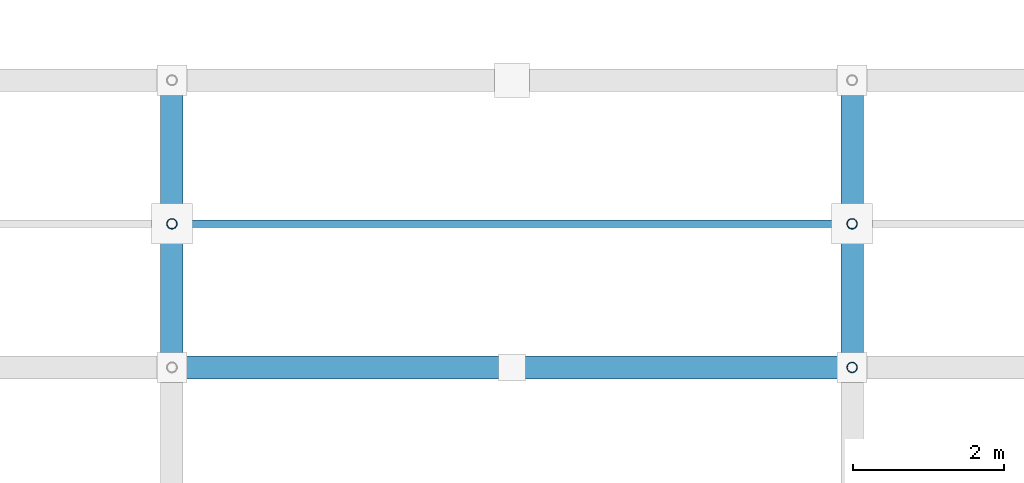
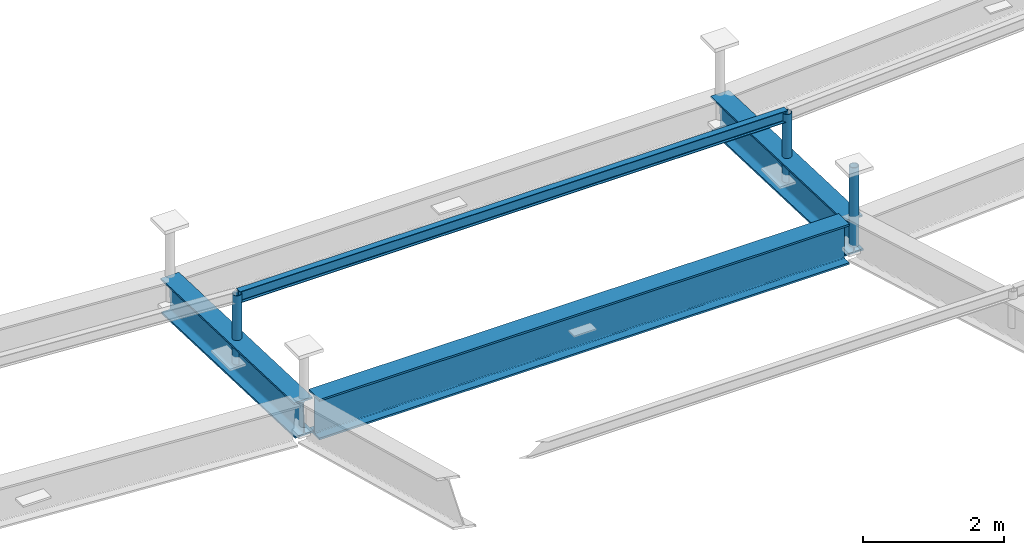
# One storey, part 45 of 80: 4 members, 3 beams.
"""IFC4 building model written with IfcOpenShell, lengths in metres."""

from ifc_helpers import new_model, si_unit, direction, frame, origin, origin_2d, place, context, subcontext, project, spatial, hollow_circle, i_section, extrude, material, material_profile, profile_set, type_object, element, save


model = new_model("IFC4")

# Units and contexts
model_context = context("Model", 3, precision=1e-05, world=origin(), true_north=direction((0.0, 1.0)))
body_context = subcontext(model_context, "Body", "Model", "MODEL_VIEW")
ifc_project = project(units=[si_unit("LENGTHUNIT", "METRE"), si_unit("AREAUNIT", "SQUARE_METRE"), si_unit("VOLUMEUNIT", "CUBIC_METRE"), si_unit("PLANEANGLEUNIT", "RADIAN"), si_unit("MASSUNIT", "GRAM", prefix="KILO")], contexts=[model_context])

# Site, building, storey
site_placement = place(None, origin())
site = spatial("IfcSite", under=ifc_project, at=site_placement, CompositionType="ELEMENT")
building_placement = place(site_placement, origin())
building = spatial("IfcBuilding", under=site, at=building_placement, Name="Barlavento Convention Centre", CompositionType="ELEMENT")
storey_placement = place(building_placement, frame((0.0, 0.0, 29.800048828125)))
storey = spatial("IfcBuildingStorey", under=building, at=storey_placement, Name="RF", CompositionType="ELEMENT", Elevation=29.800048828125)

# Beams
ifc_material_1 = material(Name="Steel S355", Category="steel")
ifc_material_profile_1 = material_profile(ifc_material_1, i_section(OverallWidth=0.300048828125, OverallDepth=0.60009765625, WebThickness=0.015380859375, FlangeThickness=0.030029296875, FilletRadius=0.027099609375, at=origin_2d()), Name="HEB 600")
ifc_profile_set_1 = profile_set([ifc_material_profile_1], Name="Steel S355")
beam_type_1 = type_object("IfcBeamType", Name="STR-BM-CANT-HEB600", PredefinedType="BEAM", material=ifc_profile_set_1)
for number, where, z_axis, x_axis, name in (
    (1, (27.0, 54.0048828125, -6.861083984375), (0.0, 0.999328957614, -0.036628328838), (-1.0, 0.0, 0.0), "Congress roof truss space frame chord"),
    (2, (36.0, 54.0048828125, -6.861083984375), (0.0, 0.999328957614, -0.036628328838), (-1.0, 0.0, 0.0), "Congress roof truss space frame chord"),
):
    element("IfcBeam", number, at=place(storey_placement, frame(where, z_axis=z_axis, x_axis=x_axis)), inside=storey, type_object=beam_type_1, Name=name, PredefinedType="BEAM", context=body_context, shape_type="SweptSolid", body=[
        extrude(i_section(OverallWidth=0.300048828125, OverallDepth=0.60009765625, WebThickness=0.015380859375, FlangeThickness=0.030029296875, FilletRadius=0.027099609375, at=origin_2d()), origin(), (0.0, 0.0, 1.0), 3.79248046875),
    ])
ifc_material_2 = material(Name="Steel S460", Category="steel")
ifc_material_profile_2 = material_profile(ifc_material_2, i_section(OverallWidth=0.300048828125, OverallDepth=0.699951171875, WebThickness=0.01708984375, FlangeThickness=0.031982421875, FilletRadius=0.027099609375, at=origin_2d()), Name="HEB 700")
ifc_profile_set_2 = profile_set([ifc_material_profile_2], Name="Steel S460")
beam_type_2 = type_object("IfcBeamType", Name="STR-BM-TRUSS-TOP-HEB700", PredefinedType="BEAM", material=ifc_profile_set_2)
beam_placement = place(storey_placement, frame((27.1650390625, 54.0, -6.861083984375), z_axis=(1.0, 0.0, 0.0), x_axis=(0.0, 1.0, 0.0)))
element("IfcBeam", 3, at=beam_placement, inside=storey, type_object=beam_type_2, Name="Congress roof truss space frame chord", PredefinedType="BEAM", context=body_context, shape_type="SweptSolid", body=[
    extrude(i_section(OverallWidth=0.300048828125, OverallDepth=0.699951171875, WebThickness=0.01708984375, FlangeThickness=0.031982421875, FilletRadius=0.027099609375, at=origin_2d()), origin(), (0.0, 0.0, 1.0), 8.669921875),
])

# Members
ifc_material_profile_3 = material_profile(ifc_material_1, hollow_circle(Radius=0.06982421875, WallThickness=0.008056640625, at=origin_2d()), Name="CHS 139.7x8.0")
ifc_profile_set_3 = profile_set([ifc_material_profile_3], Name="Steel S355")
member_type_1 = type_object("IfcMemberType", Name="STR-MEM-DIAG-CHS139", PredefinedType="BRACE", material=ifc_profile_set_3)
member_1_placement = place(storey_placement, frame((36.0, 54.0, -7.010986328125), z_axis=(0.0, 0.0, 1.0), x_axis=(1.0, 0.0, 0.0)))
element("IfcMember", 4, at=member_1_placement, inside=storey, type_object=member_type_1, Name="Congress space frame vertical node post TD04", PredefinedType="BRACE", context=body_context, shape_type="SweptSolid", body=[
    extrude(hollow_circle(Radius=0.06982421875, WallThickness=0.008056640625, at=origin_2d()), origin(), (0.0, 0.0, 1.0), 1.369873046875),
])
member_2_placement = place(storey_placement, frame((27.0, 55.89990234375, -7.050537109375), z_axis=(0.0, 0.0, 1.0), x_axis=(1.0, 0.0, 0.0)))
element("IfcMember", 5, at=member_2_placement, inside=storey, type_object=member_type_1, Name="Congress space frame vertical node post TD04", PredefinedType="BRACE", context=body_context, shape_type="SweptSolid", body=[
    extrude(hollow_circle(Radius=0.06982421875, WallThickness=0.008056640625, at=origin_2d()), origin(), (0.0, 0.0, 1.0), 1.1962890625),
])
member_3_placement = place(storey_placement, frame((36.0, 55.89990234375, -7.050537109375), z_axis=(0.0, 0.0, 1.0), x_axis=(1.0, 0.0, 0.0)))
element("IfcMember", 6, at=member_3_placement, inside=storey, type_object=member_type_1, Name="Congress space frame vertical node post TD04", PredefinedType="BRACE", context=body_context, shape_type="SweptSolid", body=[
    extrude(hollow_circle(Radius=0.06982421875, WallThickness=0.008056640625, at=origin_2d()), origin(), (0.0, 0.0, 1.0), 1.181640625),
])
ifc_material_profile_4 = material_profile(ifc_material_1, i_section(OverallWidth=0.10009765625, OverallDepth=0.199951171875, WebThickness=0.005615234375, FlangeThickness=0.008544921875, FilletRadius=0.011962890625, at=origin_2d()), Name="IPE 200")
ifc_profile_set_4 = profile_set([ifc_material_profile_4], Name="Steel S355")
member_type_2 = type_object("IfcMemberType", Name="STR-MEM-PUR-IPE200", PredefinedType="PURLIN", material=ifc_profile_set_4)
member_4_placement = place(storey_placement, frame((27.02001953125, 55.89990234375, -5.9091796875), z_axis=(0.999999999629, 0.0, 2.7247956e-05), x_axis=(0.0, 1.0, 0.0)))
element("IfcMember", 7, at=member_4_placement, inside=storey, type_object=member_type_2, Name="Congress roof intermediate purlin PR01", PredefinedType="PURLIN", context=body_context, shape_type="SweptSolid", body=[
    extrude(i_section(OverallWidth=0.10009765625, OverallDepth=0.199951171875, WebThickness=0.005615234375, FlangeThickness=0.008544921875, FilletRadius=0.011962890625, at=origin_2d()), origin(), (0.0, 0.0, 1.0), 8.9599609375),
])

save(model, "model.ifc")
